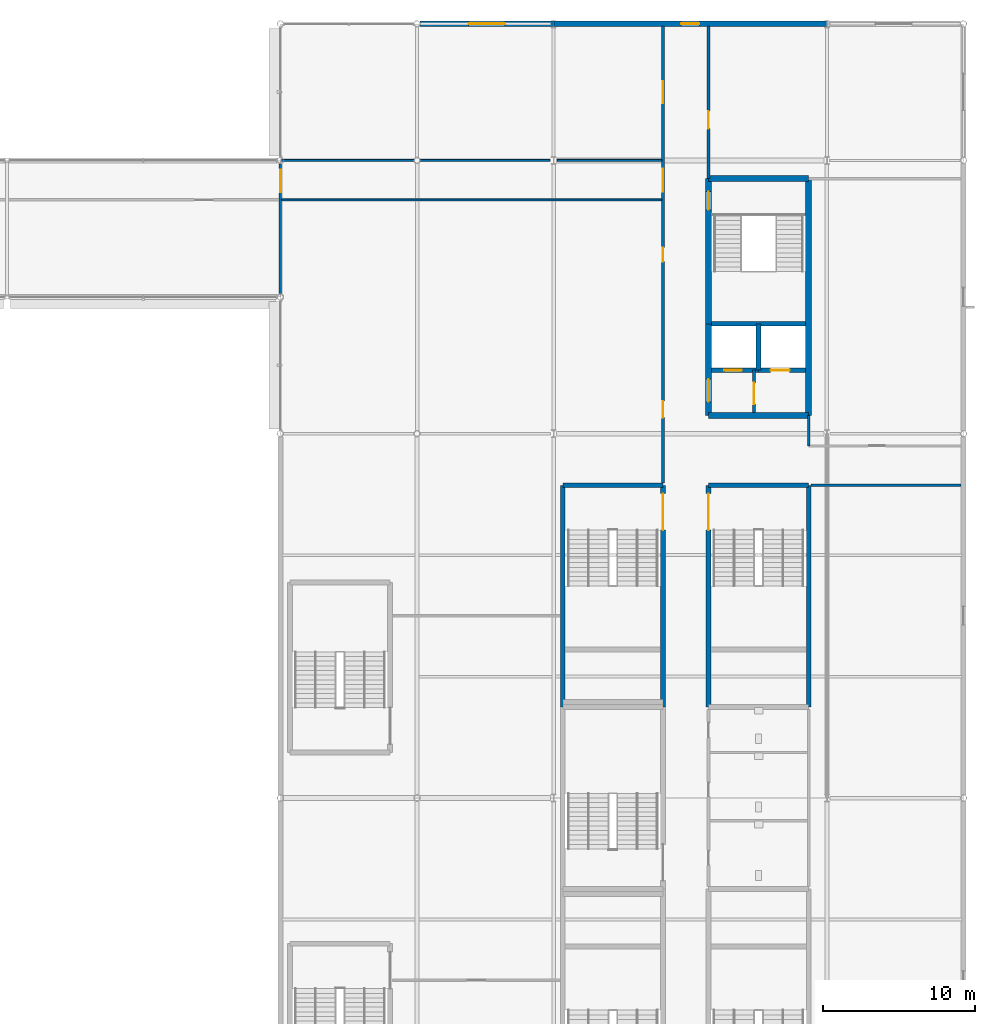
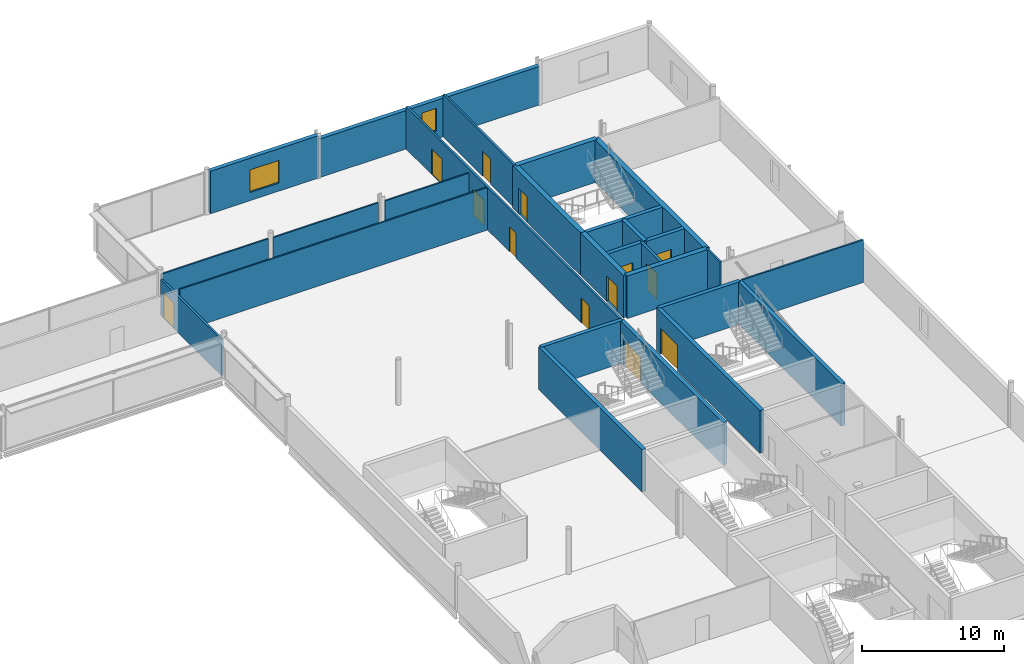
# One storey, part 62 of 96: 27 walls, 13 doors, 2 windows, 15 openings.
"""IFC4 building model written with IfcOpenShell, lengths in metres."""

from ifc_helpers import new_model, si_unit, direction, frame, frame_2d, origin, place, context, subcontext, project, spatial, rectangle, extrude, material, layer, layer_set, type_object, element, fill, save


model = new_model("IFC4")

# Units and contexts
model_context = context("Model", 3, precision=1e-05, world=origin(), true_north=direction((0.0, 1.0)))
body_context = subcontext(model_context, "Body", "Model", "MODEL_VIEW")
ifc_project = project(units=[si_unit("LENGTHUNIT", "METRE"), si_unit("AREAUNIT", "SQUARE_METRE"), si_unit("VOLUMEUNIT", "CUBIC_METRE"), si_unit("PLANEANGLEUNIT", "RADIAN"), si_unit("MASSUNIT", "GRAM", prefix="KILO")], contexts=[model_context])

# Site, building, storey
site_placement = place(None, origin())
site = spatial("IfcSite", under=ifc_project, at=site_placement, CompositionType="ELEMENT")
building_placement = place(site_placement, origin())
building = spatial("IfcBuilding", under=site, at=building_placement, Name="Kisiwana Market Hall", CompositionType="ELEMENT")
storey_placement = place(building_placement, frame((0.0, 0.0, 25.5)))
storey = spatial("IfcBuildingStorey", under=building, at=storey_placement, Name="L05", CompositionType="ELEMENT", Elevation=25.5)

# Wall, opening, door
ifc_material_1 = material(Name="Masonry blockwork", Category="masonry")
ifc_layer_1 = layer(ifc_material_1, 0.199951171875, Name="Plastered fire compartment block wall")
ifc_layer_set_1 = layer_set([ifc_layer_1], Name="WL-COMP-200")
wall_type_1 = type_object("IfcWallType", Name="WL-COMP-200", PredefinedType="PARTITIONING", material=ifc_layer_set_1)
wall_1_placement = place(storey_placement, frame((184.199951171875, 85.39990234375, 0.0), z_axis=(0.0, 0.0, 1.0), x_axis=(0.0, 1.0, 0.0)))
wall_1 = element("IfcWall", 1, at=wall_1_placement, inside=storey, type_object=wall_type_1, Name="Core E1 firefighting lobby wall W-1829", PredefinedType="PARTITIONING", context=body_context, shape_type="SweptSolid", body=[
    extrude(rectangle(XDim=2.780029296875, YDim=0.199951171875, at=frame_2d((1.39013671875, 0.0))), origin(), (0.0, 0.0, 1.0), 3.655029296875),
])
opening_1_placement = place(wall_1_placement, frame((0.550048828125, 0.0, 0.0)))
opening_1 = element("IfcOpeningElement", 2, at=opening_1_placement, cuts=wall_1, Name="Opening DR-L05-012", PredefinedType="OPENING", context=body_context, shape_type="SweptSolid", body=[
    extrude(rectangle(XDim=1.39990234375, YDim=2.25, at=frame_2d((0.699951171875, 1.125))), frame((0.0, 0.11181640625, 0.0), z_axis=(0.0, -1.0, 0.0), x_axis=(1.0, 0.0, 0.0)), (0.0, 0.0, 1.0), 0.223876953125),
])
ifc_material_2 = material(Name="Steel S275", Category="steel")
door_type_1 = type_object("IfcDoorType", Name="DR-FFLOB-FD120-1400", OperationType="DOUBLE_DOOR_SINGLE_SWING", PredefinedType="DOOR", material=ifc_material_2)
door_1_placement = place(opening_1_placement, origin())
door_1 = element("IfcDoor", 3, at=door_1_placement, inside=storey, type_object=door_type_1, Name="Firefighting Lift Lobby E1 Door (L05)", OperationType="DOUBLE_DOOR_SINGLE_SWING", OverallHeight=2.25, OverallWidth=1.39990234375, PredefinedType="DOOR", context=body_context, shape_type="SweptSolid", body=[
    extrude(rectangle(XDim=1.39990234375, YDim=2.25, at=frame_2d((0.699951171875, 1.125))), frame((0.0, 0.02490234375, 0.0), z_axis=(0.0, -1.0, 0.0), x_axis=(1.0, 0.0, 0.0)), (0.0, 0.0, 1.0), 0.050048828125),
])
fill(opening_1, door_1)

# Walls
ifc_material_3 = material(Name="Concrete C40/50", Category="concrete")
ifc_layer_2 = layer(ifc_material_3, 0.320068359375, Name="Reinforced concrete shaft wall")
ifc_layer_set_2 = layer_set([ifc_layer_2], Name="WL-CORE-320")
wall_type_2 = type_object("IfcWallType", Name="WL-CORE-320", PredefinedType="SHEAR", material=ifc_layer_set_2)
wall_2_placement = place(storey_placement, frame((181.39990234375, 91.239990234375, 0.0), z_axis=(0.0, 0.0, 1.0), x_axis=(1.0, 0.0, 0.0)))
element("IfcWall", 4, at=wall_2_placement, inside=storey, type_object=wall_type_2, Name="Core E1 shaft back shear wall W-1734", PredefinedType="SHEAR", context=body_context, shape_type="SweptSolid", body=[
    extrude(rectangle(XDim=6.2001953125, YDim=0.320068359375, at=frame_2d((3.10009765625, 0.0))), origin(), (0.0, 0.0, 1.0), 3.655029296875),
])
wall_3_placement = place(storey_placement, frame((184.5, 88.179931640625, 0.0), z_axis=(0.0, 0.0, 1.0), x_axis=(0.0, 1.0, 0.0)))
element("IfcWall", 5, at=wall_3_placement, inside=storey, type_object=wall_type_2, Name="Core E1 inter-shaft shear wall W-1735", PredefinedType="SHEAR", context=body_context, shape_type="SweptSolid", body=[
    extrude(rectangle(XDim=3.06005859375, YDim=0.320068359375, at=frame_2d((1.530029296875, 0.0))), origin(), (0.0, 0.0, 1.0), 3.655029296875),
])

# Wall, opening, door
wall_4_placement = place(storey_placement, frame((181.39990234375, 88.179931640625, 0.0), z_axis=(0.0, 0.0, 1.0), x_axis=(1.0, 0.0, 0.0)))
wall_4 = element("IfcWall", 6, at=wall_4_placement, inside=storey, type_object=wall_type_2, Name="Core E1 west lift front wall W-1736", PredefinedType="SHEAR", context=body_context, shape_type="SweptSolid", body=[
    extrude(rectangle(XDim=3.10009765625, YDim=0.320068359375, at=frame_2d((1.550048828125, 0.0))), origin(), (0.0, 0.0, 1.0), 3.655029296875),
])
opening_2_placement = place(wall_4_placement, frame((0.85009765625, 0.0, 0.0)))
opening_2 = element("IfcOpeningElement", 7, at=opening_2_placement, cuts=wall_4, Name="Opening LD-L05-007", PredefinedType="OPENING", context=body_context, shape_type="SweptSolid", body=[
    extrude(rectangle(XDim=1.14990234375, YDim=2.199951171875, at=frame_2d((0.574951171875, 1.10009765625))), frame((0.0, 0.171875, 0.0), z_axis=(0.0, -1.0, 0.0), x_axis=(1.0, 0.0, 0.0)), (0.0, 0.0, 1.0), 0.343994140625),
])
ifc_material_4 = material(Name="Steel S275", Category="steel")
door_type_2 = type_object("IfcDoorType", Name="DR-LIFT-PAX-1150", OperationType="DOUBLE_DOOR_SLIDING", PredefinedType="DOOR", material=ifc_material_4)
door_2_placement = place(opening_2_placement, origin())
door_2 = element("IfcDoor", 8, at=door_2_placement, inside=storey, type_object=door_type_2, Name="Lift Landing Door LP-04 (L05)", OperationType="DOUBLE_DOOR_SLIDING", OverallHeight=2.199951171875, OverallWidth=1.14990234375, PredefinedType="DOOR", context=body_context, shape_type="SweptSolid", body=[
    extrude(rectangle(XDim=1.14990234375, YDim=2.199951171875, at=frame_2d((0.574951171875, 1.10009765625))), frame((0.0, 0.02490234375, 0.0), z_axis=(0.0, -1.0, 0.0), x_axis=(1.0, 0.0, 0.0)), (0.0, 0.0, 1.0), 0.050048828125),
])
fill(opening_2, door_2)

wall_5_placement = place(storey_placement, frame((184.5, 88.179931640625, 0.0), z_axis=(0.0, 0.0, 1.0), x_axis=(1.0, 0.0, 0.0)))
wall_5 = element("IfcWall", 9, at=wall_5_placement, inside=storey, type_object=wall_type_2, Name="Core E1 east lift front wall W-1737", PredefinedType="SHEAR", context=body_context, shape_type="SweptSolid", body=[
    extrude(rectangle(XDim=3.10009765625, YDim=0.320068359375, at=frame_2d((1.550048828125, 0.0))), origin(), (0.0, 0.0, 1.0), 3.655029296875),
])
opening_3_placement = place(wall_5_placement, frame((0.800048828125, 0.0, 0.0)))
opening_3 = element("IfcOpeningElement", 10, at=opening_3_placement, cuts=wall_5, Name="Opening LD-L05-008", PredefinedType="OPENING", context=body_context, shape_type="SweptSolid", body=[
    extrude(rectangle(XDim=1.25, YDim=2.25, at=frame_2d((0.625, 1.125))), frame((0.0, 0.171875, 0.0), z_axis=(0.0, -1.0, 0.0), x_axis=(1.0, 0.0, 0.0)), (0.0, 0.0, 1.0), 0.343994140625),
])
ifc_material_5 = material(Name="Steel S275", Category="steel")
door_type_3 = type_object("IfcDoorType", Name="DR-LIFT-FFL-1250", OperationType="DOUBLE_DOOR_SLIDING", PredefinedType="DOOR", material=ifc_material_5)
door_3_placement = place(opening_3_placement, origin())
door_3 = element("IfcDoor", 11, at=door_3_placement, inside=storey, type_object=door_type_3, Name="Lift Landing Door FFL-04 (L05)", OperationType="DOUBLE_DOOR_SLIDING", OverallHeight=2.25, OverallWidth=1.25, PredefinedType="DOOR", context=body_context, shape_type="SweptSolid", body=[
    extrude(rectangle(XDim=1.25, YDim=2.25, at=frame_2d((0.625, 1.125))), frame((0.0, 0.02490234375, 0.0), z_axis=(0.0, -1.0, 0.0), x_axis=(1.0, 0.0, 0.0)), (0.0, 0.0, 1.0), 0.050048828125),
])
fill(opening_3, door_3)

# Wall
wall_6_placement = place(storey_placement, frame((181.199951171875, 80.60009765625, 0.0), z_axis=(0.0, 0.0, 1.0), x_axis=(1.0, 0.0, 0.0)))
element("IfcWall", 12, at=wall_6_placement, inside=storey, type_object=wall_type_2, Name="Core E4 north shear wall W-1754", PredefinedType="SHEAR", context=body_context, shape_type="SweptSolid", body=[
    extrude(rectangle(XDim=6.60009765625, YDim=0.320068359375, at=frame_2d((3.300048828125, 0.0))), origin(), (0.0, 0.0, 1.0), 3.655029296875),
])

# Wall, opening, door
wall_7_placement = place(storey_placement, frame((181.199951171875, 66.0, 0.0), z_axis=(0.0, 0.0, 1.0), x_axis=(0.0, 1.0, 0.0)))
wall_7 = element("IfcWall", 13, at=wall_7_placement, inside=storey, type_object=wall_type_2, Name="Core E4 corridor shear wall W-1755", PredefinedType="SHEAR", context=body_context, shape_type="SweptSolid", body=[
    extrude(rectangle(XDim=14.60009765625, YDim=0.320068359375, at=frame_2d((7.300048828125, 0.0))), origin(), (0.0, 0.0, 1.0), 3.655029296875),
])
opening_4_placement = place(wall_7_placement, frame((11.64990234375, 0.0, 0.0)))
opening_4 = element("IfcOpeningElement", 14, at=opening_4_placement, cuts=wall_7, Name="Opening DR-L05-016", PredefinedType="OPENING", context=body_context, shape_type="SweptSolid", body=[
    extrude(rectangle(XDim=2.39990234375, YDim=2.25, at=frame_2d((1.199951171875, 1.125))), frame((0.0, 0.171875, 0.0), z_axis=(0.0, -1.0, 0.0), x_axis=(1.0, 0.0, 0.0)), (0.0, 0.0, 1.0), 0.343994140625),
])
ifc_material_6 = material(Name="Steel S275", Category="steel")
door_type_4 = type_object("IfcDoorType", Name="DR-STAIR-FD120-2400", OperationType="DOUBLE_DOOR_SINGLE_SWING", PredefinedType="DOOR", material=ifc_material_6)
door_4_placement = place(opening_4_placement, frame((2.39990234375, 0.0, 0.0), z_axis=(0.0, 0.0, 1.0), x_axis=(-1.0, 0.0, 0.0)))
door_4 = element("IfcDoor", 15, at=door_4_placement, inside=storey, type_object=door_type_4, Name="Escape Stair E4 Fire Door (L05)", OperationType="DOUBLE_DOOR_SINGLE_SWING", OverallHeight=2.25, OverallWidth=2.39990234375, PredefinedType="DOOR", context=body_context, shape_type="SweptSolid", body=[
    extrude(rectangle(XDim=2.39990234375, YDim=2.25, at=frame_2d((1.199951171875, 1.125))), frame((0.0, 0.02490234375, 0.0), z_axis=(0.0, -1.0, 0.0), x_axis=(1.0, 0.0, 0.0)), (0.0, 0.0, 1.0), 0.050048828125),
])
fill(opening_4, door_4)

# Walls
wall_8_placement = place(storey_placement, frame((187.800048828125, 66.0, 0.0), z_axis=(0.0, 0.0, 1.0), x_axis=(0.0, 1.0, 0.0)))
element("IfcWall", 16, at=wall_8_placement, inside=storey, type_object=wall_type_2, Name="Core E4 outer shear wall W-1756", PredefinedType="SHEAR", context=body_context, shape_type="SweptSolid", body=[
    extrude(rectangle(XDim=14.60009765625, YDim=0.320068359375, at=frame_2d((7.300048828125, 0.0))), origin(), (0.0, 0.0, 1.0), 3.655029296875),
])
wall_9_placement = place(storey_placement, frame((171.60009765625, 80.60009765625, 0.0), z_axis=(0.0, 0.0, 1.0), x_axis=(1.0, 0.0, 0.0)))
element("IfcWall", 17, at=wall_9_placement, inside=storey, type_object=wall_type_2, Name="Core E8 north shear wall W-1774", PredefinedType="SHEAR", context=body_context, shape_type="SweptSolid", body=[
    extrude(rectangle(XDim=6.599853515625, YDim=0.320068359375, at=frame_2d((3.2998046875, 0.0))), origin(), (0.0, 0.0, 1.0), 3.655029296875),
])
wall_10_placement = place(storey_placement, frame((171.60009765625, 66.0, 0.0), z_axis=(0.0, 0.0, 1.0), x_axis=(0.0, 1.0, 0.0)))
element("IfcWall", 18, at=wall_10_placement, inside=storey, type_object=wall_type_2, Name="Core E8 outer shear wall W-1775", PredefinedType="SHEAR", context=body_context, shape_type="SweptSolid", body=[
    extrude(rectangle(XDim=14.60009765625, YDim=0.320068359375, at=frame_2d((7.300048828125, 0.0))), origin(), (0.0, 0.0, 1.0), 3.655029296875),
])

# Wall, opening, door
wall_11_placement = place(storey_placement, frame((178.199951171875, 66.0, 0.0), z_axis=(0.0, 0.0, 1.0), x_axis=(0.0, 1.0, 0.0)))
wall_11 = element("IfcWall", 19, at=wall_11_placement, inside=storey, type_object=wall_type_2, Name="Core E8 corridor shear wall W-1776", PredefinedType="SHEAR", context=body_context, shape_type="SweptSolid", body=[
    extrude(rectangle(XDim=14.60009765625, YDim=0.320068359375, at=frame_2d((7.300048828125, 0.0))), origin(), (0.0, 0.0, 1.0), 3.655029296875),
])
opening_5_placement = place(wall_11_placement, frame((11.64990234375, 0.0, 0.0)))
opening_5 = element("IfcOpeningElement", 20, at=opening_5_placement, cuts=wall_11, Name="Opening DR-L05-020", PredefinedType="OPENING", context=body_context, shape_type="SweptSolid", body=[
    extrude(rectangle(XDim=2.39990234375, YDim=2.25, at=frame_2d((1.199951171875, 1.125))), frame((0.0, 0.171875, 0.0), z_axis=(0.0, -1.0, 0.0), x_axis=(1.0, 0.0, 0.0)), (0.0, 0.0, 1.0), 0.343994140625),
])
door_5_placement = place(opening_5_placement, origin())
door_5 = element("IfcDoor", 21, at=door_5_placement, inside=storey, type_object=door_type_4, Name="Escape Stair E8 Fire Door (L05)", OperationType="DOUBLE_DOOR_SINGLE_SWING", OverallHeight=2.25, OverallWidth=2.39990234375, PredefinedType="DOOR", context=body_context, shape_type="SweptSolid", body=[
    extrude(rectangle(XDim=2.39990234375, YDim=2.25, at=frame_2d((1.199951171875, 1.125))), frame((0.0, 0.02490234375, 0.0), z_axis=(0.0, -1.0, 0.0), x_axis=(1.0, 0.0, 0.0)), (0.0, 0.0, 1.0), 0.050048828125),
])
fill(opening_5, door_5)

# Walls
ifc_material_7 = material(Name="Concrete C40/50", Category="concrete")
ifc_layer_3 = layer(ifc_material_7, 0.39990234375, Name="Reinforced concrete core wall")
ifc_layer_set_3 = layer_set([ifc_layer_3], Name="WL-CORE-400")
wall_type_3 = type_object("IfcWallType", Name="WL-CORE-400", PredefinedType="SHEAR", material=ifc_layer_set_3)
for number, where, z_axis, x_axis, name in (
    (22, (181.199951171875, 85.199951171875, 0.0), (0.0, 0.0, 1.0), (1.0, 0.0, 0.0), "Core E1 south shear wall W-1729"),
    (23, (181.199951171875, 100.800048828125, 0.0), (0.0, 0.0, 1.0), (1.0, 0.0, 0.0), "Core E1 north shear wall W-1730"),
):
    element("IfcWall", number, at=place(storey_placement, frame(where, z_axis=z_axis, x_axis=x_axis)), inside=storey, type_object=wall_type_3, Name=name, PredefinedType="SHEAR", context=body_context, shape_type="SweptSolid", body=[
        extrude(rectangle(XDim=6.60009765625, YDim=0.39990234375, at=frame_2d((3.300048828125, 0.0))), origin(), (0.0, 0.0, 1.0), 3.655029296875),
    ])
wall_12_placement = place(storey_placement, frame((187.800048828125, 85.199951171875, 0.0), z_axis=(0.0, 0.0, 1.0), x_axis=(0.0, 1.0, 0.0)))
element("IfcWall", 24, at=wall_12_placement, inside=storey, type_object=wall_type_3, Name="Core E1 outer shear wall W-1731", PredefinedType="SHEAR", context=body_context, shape_type="SweptSolid", body=[
    extrude(rectangle(XDim=15.60009765625, YDim=0.39990234375, at=frame_2d((7.800048828125, 0.0))), origin(), (0.0, 0.0, 1.0), 3.655029296875),
])

# Wall, opening, door
wall_13_placement = place(storey_placement, frame((181.199951171875, 85.199951171875, 0.0), z_axis=(0.0, 0.0, 1.0), x_axis=(0.0, 1.0, 0.0)))
wall_13 = element("IfcWall", 25, at=wall_13_placement, inside=storey, type_object=wall_type_3, Name="Core E1 lobby corridor shear wall W-1732", PredefinedType="SHEAR", context=body_context, shape_type="SweptSolid", body=[
    extrude(rectangle(XDim=6.0400390625, YDim=0.39990234375, at=frame_2d((3.02001953125, 0.0))), origin(), (0.0, 0.0, 1.0), 3.655029296875),
])
opening_6_placement = place(wall_13_placement, frame((0.89990234375, 0.0, 0.0)))
opening_6 = element("IfcOpeningElement", 26, at=opening_6_placement, cuts=wall_13, Name="Opening DR-L05-010", PredefinedType="OPENING", context=body_context, shape_type="SweptSolid", body=[
    extrude(rectangle(XDim=1.5, YDim=2.199951171875, at=frame_2d((0.75, 1.10009765625))), frame((0.0, 0.2119140625, 0.0), z_axis=(0.0, -1.0, 0.0), x_axis=(1.0, 0.0, 0.0)), (0.0, 0.0, 1.0), 0.423828125),
])
ifc_material_8 = material(Name="Steel S275", Category="steel")
door_type_5 = type_object("IfcDoorType", Name="DR-CORR-FD60-1500", OperationType="DOUBLE_DOOR_SINGLE_SWING", PredefinedType="DOOR", material=ifc_material_8)
door_6_placement = place(opening_6_placement, origin())
door_6 = element("IfcDoor", 27, at=door_6_placement, inside=storey, type_object=door_type_5, Name="Passenger Lift Lobby E1 Smoke Door (L05)", OperationType="DOUBLE_DOOR_SINGLE_SWING", OverallHeight=2.199951171875, OverallWidth=1.5, PredefinedType="DOOR", context=body_context, shape_type="SweptSolid", body=[
    extrude(rectangle(XDim=1.5, YDim=2.199951171875, at=frame_2d((0.75, 1.10009765625))), frame((0.0, 0.02490234375, 0.0), z_axis=(0.0, -1.0, 0.0), x_axis=(1.0, 0.0, 0.0)), (0.0, 0.0, 1.0), 0.050048828125),
])
fill(opening_6, door_6)

wall_14_placement = place(storey_placement, frame((181.199951171875, 91.239990234375, 0.0), z_axis=(0.0, 0.0, 1.0), x_axis=(0.0, 1.0, 0.0)))
wall_14 = element("IfcWall", 28, at=wall_14_placement, inside=storey, type_object=wall_type_3, Name="Core E1 stair corridor shear wall W-1733", PredefinedType="SHEAR", context=body_context, shape_type="SweptSolid", body=[
    extrude(rectangle(XDim=9.56005859375, YDim=0.39990234375, at=frame_2d((4.780029296875, 0.0))), origin(), (0.0, 0.0, 1.0), 3.655029296875),
])
opening_7_placement = place(wall_14_placement, frame((7.510009765625, 0.0, 0.0)))
opening_7 = element("IfcOpeningElement", 29, at=opening_7_placement, cuts=wall_14, Name="Opening DR-L05-011", PredefinedType="OPENING", context=body_context, shape_type="SweptSolid", body=[
    extrude(rectangle(XDim=1.199951171875, YDim=2.199951171875, at=frame_2d((0.60009765625, 1.10009765625))), frame((0.0, 0.2119140625, 0.0), z_axis=(0.0, -1.0, 0.0), x_axis=(1.0, 0.0, 0.0)), (0.0, 0.0, 1.0), 0.423828125),
])
ifc_material_9 = material(Name="Steel S275", Category="steel")
door_type_6 = type_object("IfcDoorType", Name="DR-STAIR-FD120-1200", OperationType="NOTDEFINED", PredefinedType="DOOR", material=ifc_material_9)
door_7_placement = place(opening_7_placement, frame((1.199951171875, 0.0, 0.0), z_axis=(0.0, 0.0, 1.0), x_axis=(-1.0, 0.0, 0.0)))
door_7 = element("IfcDoor", 30, at=door_7_placement, inside=storey, type_object=door_type_6, Name="Escape Stair E1 Fire Door (L05)", OperationType="SINGLE_SWING_LEFT", OverallHeight=2.199951171875, OverallWidth=1.199951171875, PredefinedType="DOOR", context=body_context, shape_type="SweptSolid", body=[
    extrude(rectangle(XDim=1.199951171875, YDim=2.199951171875, at=frame_2d((0.60009765625, 1.10009765625))), frame((0.0, 0.02490234375, 0.0), z_axis=(0.0, -1.0, 0.0), x_axis=(1.0, 0.0, 0.0)), (0.0, 0.0, 1.0), 0.050048828125),
])
fill(opening_7, door_7)

ifc_material_10 = material(Name="Masonry blockwork", Category="masonry")
ifc_layer_4 = layer(ifc_material_10, 0.169921875, Name="Protected corridor partition")
ifc_layer_set_4 = layer_set([ifc_layer_4], Name="WL-CORR-170")
wall_type_4 = type_object("IfcWallType", Name="WL-CORR-170", PredefinedType="PARTITIONING", material=ifc_layer_set_4)
wall_15_placement = place(storey_placement, frame((181.199951171875, 100.800048828125, 0.0), z_axis=(0.0, 0.0, 1.0), x_axis=(0.0, 1.0, 0.0)))
wall_15 = element("IfcWall", 31, at=wall_15_placement, inside=storey, type_object=wall_type_4, Name="Interior partition W-1871", PredefinedType="PARTITIONING", context=body_context, shape_type="SweptSolid", body=[
    extrude(rectangle(XDim=10.04248046875, YDim=0.169921875, at=frame_2d((5.021240234375, 0.0))), origin(), (0.0, 0.0, 1.0), 3.655029296875),
])
opening_8_placement = place(wall_15_placement, frame((3.300048828125, 0.0, 0.0)))
opening_8 = element("IfcOpeningElement", 32, at=opening_8_placement, cuts=wall_15, Name="Opening DR-L05-053", PredefinedType="OPENING", context=body_context, shape_type="SweptSolid", body=[
    extrude(rectangle(XDim=1.14990234375, YDim=2.14990234375, at=frame_2d((0.574951171875, 1.074951171875))), frame((0.0, 0.096923828125, 0.0), z_axis=(0.0, -1.0, 0.0), x_axis=(1.0, 0.0, 0.0)), (0.0, 0.0, 1.0), 0.19384765625),
])
ifc_material_11 = material(Name="Aluminium alloy 6063-T6", Category="aluminium")
door_type_7 = type_object("IfcDoorType", Name="DR-MEET-1150", OperationType="NOTDEFINED", PredefinedType="DOOR", material=ifc_material_11)
door_8_placement = place(opening_8_placement, frame((1.14990234375, 0.0, 0.0), z_axis=(0.0, 0.0, 1.0), x_axis=(-1.0, 0.0, 0.0)))
door_8 = element("IfcDoor", 33, at=door_8_placement, inside=storey, type_object=door_type_7, Name="L05 E Corner Office Suite North Door", OperationType="SINGLE_SWING_RIGHT", OverallHeight=2.14990234375, OverallWidth=1.14990234375, PredefinedType="DOOR", context=body_context, shape_type="SweptSolid", body=[
    extrude(rectangle(XDim=1.14990234375, YDim=2.14990234375, at=frame_2d((0.574951171875, 1.074951171875))), frame((0.0, 0.02490234375, 0.0), z_axis=(0.0, -1.0, 0.0), x_axis=(1.0, 0.0, 0.0)), (0.0, 0.0, 1.0), 0.050048828125),
])
fill(opening_8, door_8)

# Wall, openings, doors
wall_16_placement = place(storey_placement, frame((178.199951171875, 80.760009765625, 0.0), z_axis=(0.0, 0.0, 1.0), x_axis=(0.0, 1.0, 0.0)))
wall_16 = element("IfcWall", 34, at=wall_16_placement, inside=storey, type_object=wall_type_4, Name="Interior partition W-1883", PredefinedType="PARTITIONING", context=body_context, shape_type="SweptSolid", body=[
    extrude(rectangle(XDim=30.08251953125, YDim=0.169921875, at=frame_2d((15.041259765625, 0.0))), origin(), (0.0, 0.0, 1.0), 3.655029296875),
])
opening_9_placement = place(wall_16_placement, frame((4.301025390625, 0.0, 0.0)))
opening_9 = element("IfcOpeningElement", 35, at=opening_9_placement, cuts=wall_16, Name="Opening DR-L05-059", PredefinedType="OPENING", context=body_context, shape_type="SweptSolid", body=[
    extrude(rectangle(XDim=1.080078125, YDim=2.14990234375, at=frame_2d((0.5400390625, 1.074951171875))), frame((0.0, 0.096923828125, 0.0), z_axis=(0.0, -1.0, 0.0), x_axis=(1.0, 0.0, 0.0)), (0.0, 0.0, 1.0), 0.19384765625),
])
opening_10_placement = place(wall_16_placement, frame((19.19091796875, 0.0, 0.0)))
opening_10 = element("IfcOpeningElement", 36, at=opening_10_placement, cuts=wall_16, Name="Opening DR-L05-060", PredefinedType="OPENING", context=body_context, shape_type="SweptSolid", body=[
    extrude(rectangle(XDim=1.5, YDim=2.199951171875, at=frame_2d((0.75, 1.10009765625))), frame((0.0, 0.096923828125, 0.0), z_axis=(0.0, -1.0, 0.0), x_axis=(1.0, 0.0, 0.0)), (0.0, 0.0, 1.0), 0.19384765625),
])
opening_11_placement = place(wall_16_placement, frame((25.01611328125, 0.0, 0.0)))
opening_11 = element("IfcOpeningElement", 37, at=opening_11_placement, cuts=wall_16, Name="Opening DR-L05-061", PredefinedType="OPENING", context=body_context, shape_type="SweptSolid", body=[
    extrude(rectangle(XDim=1.449951171875, YDim=2.199951171875, at=frame_2d((0.72509765625, 1.10009765625))), frame((0.0, 0.096923828125, 0.0), z_axis=(0.0, -1.0, 0.0), x_axis=(1.0, 0.0, 0.0)), (0.0, 0.0, 1.0), 0.19384765625),
])
opening_12_placement = place(wall_16_placement, frame((14.5810546875, 0.0, 0.0)))
opening_12 = element("IfcOpeningElement", 38, at=opening_12_placement, cuts=wall_16, Name="Opening DR-L05-062", PredefinedType="OPENING", context=body_context, shape_type="SweptSolid", body=[
    extrude(rectangle(XDim=0.919921875, YDim=2.14990234375, at=frame_2d((0.4599609375, 1.074951171875))), frame((0.0, 0.096923828125, 0.0), z_axis=(0.0, -1.0, 0.0), x_axis=(1.0, 0.0, 0.0)), (0.0, 0.0, 1.0), 0.19384765625),
])
door_9_placement = place(opening_10_placement, origin())
door_9 = element("IfcDoor", 39, at=door_9_placement, inside=storey, type_object=door_type_5, Name="L05 E North Skybridge Link Corridor Door", OperationType="DOUBLE_DOOR_SINGLE_SWING", OverallHeight=2.199951171875, OverallWidth=1.5, PredefinedType="DOOR", context=body_context, shape_type="SweptSolid", body=[
    extrude(rectangle(XDim=1.5, YDim=2.199951171875, at=frame_2d((0.75, 1.10009765625))), frame((0.0, 0.02490234375, 0.0), z_axis=(0.0, -1.0, 0.0), x_axis=(1.0, 0.0, 0.0)), (0.0, 0.0, 1.0), 0.050048828125),
])
fill(opening_10, door_9)
ifc_material_12 = material(Name="Hardwood timber", Category="wood")
door_type_8 = type_object("IfcDoorType", Name="DR-MEET-1450", OperationType="DOUBLE_DOOR_SINGLE_SWING", PredefinedType="DOOR", material=ifc_material_12)
door_10_placement = place(opening_11_placement, origin())
door_10 = element("IfcDoor", 40, at=door_10_placement, inside=storey, type_object=door_type_8, Name="L05 E Executive Corner Office A5 Door", OperationType="DOUBLE_DOOR_SINGLE_SWING", OverallHeight=2.199951171875, OverallWidth=1.449951171875, PredefinedType="DOOR", context=body_context, shape_type="SweptSolid", body=[
    extrude(rectangle(XDim=1.449951171875, YDim=2.199951171875, at=frame_2d((0.72509765625, 1.10009765625))), frame((0.0, 0.02490234375, 0.0), z_axis=(0.0, -1.0, 0.0), x_axis=(1.0, 0.0, 0.0)), (0.0, 0.0, 1.0), 0.050048828125),
])
fill(opening_11, door_10)
ifc_material_13 = material(Name="Hardwood timber", Category="wood")
door_type_9 = type_object("IfcDoorType", Name="DR-OFF-0920", OperationType="NOTDEFINED", PredefinedType="DOOR", material=ifc_material_13)
door_11_placement = place(opening_12_placement, origin())
door_11 = element("IfcDoor", 41, at=door_11_placement, inside=storey, type_object=door_type_9, Name="L05 E Open-Plan Office A3 Door", OperationType="SINGLE_SWING_LEFT", OverallHeight=2.14990234375, OverallWidth=0.919921875, PredefinedType="DOOR", context=body_context, shape_type="SweptSolid", body=[
    extrude(rectangle(XDim=0.919921875, YDim=2.14990234375, at=frame_2d((0.4599609375, 1.074951171875))), frame((0.0, 0.02490234375, 0.0), z_axis=(0.0, -1.0, 0.0), x_axis=(1.0, 0.0, 0.0)), (0.0, 0.0, 1.0), 0.050048828125),
])
fill(opening_12, door_11)
ifc_material_14 = material(Name="Hardwood timber", Category="wood")
door_type_10 = type_object("IfcDoorType", Name="DR-OFF-1080", OperationType="NOTDEFINED", PredefinedType="DOOR", material=ifc_material_14)
door_12_placement = place(opening_9_placement, origin())
door_12 = element("IfcDoor", 42, at=door_12_placement, inside=storey, type_object=door_type_10, Name="L05 E Project Studio A4 Door", OperationType="SINGLE_SWING_LEFT", OverallHeight=2.14990234375, OverallWidth=1.080078125, PredefinedType="DOOR", context=body_context, shape_type="SweptSolid", body=[
    extrude(rectangle(XDim=1.080078125, YDim=2.14990234375, at=frame_2d((0.5400390625, 1.074951171875))), frame((0.0, 0.02490234375, 0.0), z_axis=(0.0, -1.0, 0.0), x_axis=(1.0, 0.0, 0.0)), (0.0, 0.0, 1.0), 0.050048828125),
])
fill(opening_9, door_12)

# Wall, opening, door
wall_17_placement = place(storey_placement, frame((153.0, 93.219970703125, 0.0), z_axis=(0.0, 0.0, 1.0), x_axis=(0.0, 1.0, 0.0)))
wall_17 = element("IfcWall", 43, at=wall_17_placement, inside=storey, type_object=wall_type_4, Name="Interior partition W-1885", PredefinedType="PARTITIONING", context=body_context, shape_type="SweptSolid", body=[
    extrude(rectangle(XDim=8.56005859375, YDim=0.169921875, at=frame_2d((4.280029296875, 0.0))), origin(), (0.0, 0.0, 1.0), 3.101806640625),
])
opening_13_placement = place(wall_17_placement, frame((6.679931640625, 0.0, 0.0)))
opening_13 = element("IfcOpeningElement", 44, at=opening_13_placement, cuts=wall_17, Name="Opening DR-L05-064", PredefinedType="OPENING", context=body_context, shape_type="SweptSolid", body=[
    extrude(rectangle(XDim=1.5, YDim=2.199951171875, at=frame_2d((0.75, 1.10009765625))), frame((0.0, 0.096923828125, 0.0), z_axis=(0.0, -1.0, 0.0), x_axis=(1.0, 0.0, 0.0)), (0.0, 0.0, 1.0), 0.19384765625),
])
door_13_placement = place(opening_13_placement, origin())
door_13 = element("IfcDoor", 45, at=door_13_placement, inside=storey, type_object=door_type_5, Name="L05 E North Skybridge Spine Door", OperationType="DOUBLE_DOOR_SINGLE_SWING", OverallHeight=2.199951171875, OverallWidth=1.5, PredefinedType="DOOR", context=body_context, shape_type="SweptSolid", body=[
    extrude(rectangle(XDim=1.5, YDim=2.199951171875, at=frame_2d((0.75, 1.10009765625))), frame((0.0, 0.02490234375, 0.0), z_axis=(0.0, -1.0, 0.0), x_axis=(1.0, 0.0, 0.0)), (0.0, 0.0, 1.0), 0.050048828125),
])
fill(opening_13, door_13)

# Wall, opening, window
ifc_material_15 = material(Name="Concrete C40/50 precast", Category="concrete")
ifc_layer_5 = layer(ifc_material_15, 0.14990234375, Name="Precast architectural concrete spandrel")
ifc_material_16 = material(Name="Mineral wool insulation")
ifc_layer_6 = layer(ifc_material_16, 0.090087890625, Name="Rockwool thermal insulation")
ifc_material_17 = material(Name="Masonry blockwork", Category="masonry")
ifc_layer_7 = layer(ifc_material_17, 0.10009765625, Name="Inner masonry block leaf")
ifc_layer_set_5 = layer_set([ifc_layer_5, ifc_layer_6, ifc_layer_7], Name="WL-EXT-PREC-340")
wall_type_5 = type_object("IfcWallType", Name="WL-EXT-PREC-340", PredefinedType="STANDARD", material=ifc_layer_set_5)
wall_18_placement = place(storey_placement, frame((162.205078125, 111.0, 0.0), z_axis=(0.0, 0.0, 1.0), x_axis=(1.0, 0.0, 0.0)))
wall_18 = element("IfcWall", 46, at=wall_18_placement, inside=storey, type_object=wall_type_5, Name="Exterior wall W-1809", PredefinedType="STANDARD", context=body_context, shape_type="SweptSolid", body=[
    extrude(rectangle(XDim=8.784912109375, YDim=0.340087890625, at=frame_2d((4.392578125, 0.0))), origin(), (0.0, 0.0, 1.0), 3.655029296875),
])
opening_14_placement = place(wall_18_placement, frame((3.1923828125, 0.0, 0.699951171875)))
opening_14 = element("IfcOpeningElement", 47, at=opening_14_placement, cuts=wall_18, Name="Opening WN-27", PredefinedType="OPENING", context=body_context, shape_type="SweptSolid", body=[
    extrude(rectangle(XDim=2.39990234375, YDim=1.949951171875, at=frame_2d((1.199951171875, 0.97509765625))), frame((0.0, 0.18212890625, 0.0), z_axis=(0.0, -1.0, 0.0), x_axis=(1.0, 0.0, 0.0)), (0.0, 0.0, 1.0), 0.364013671875),
])
ifc_material_18 = material(Name="Double-glazed solar-control low-E IGU", Category="glass")
window_type_1 = type_object("IfcWindowType", Name="WN-OFFA-2400x1950", PartitioningType="SINGLE_PANEL", PredefinedType="WINDOW", material=ifc_material_18)
window_1_placement = place(opening_14_placement, origin())
window_1 = element("IfcWindow", 48, at=window_1_placement, inside=storey, type_object=window_type_1, Name="Exterior window WN-183", OverallHeight=1.949951171875, OverallWidth=2.39990234375, PartitioningType="SINGLE_PANEL", PredefinedType="WINDOW", context=body_context, shape_type="SweptSolid", body=[
    extrude(rectangle(XDim=2.39990234375, YDim=1.949951171875, at=frame_2d((1.199951171875, 0.97509765625))), frame((0.0, 0.030029296875, 0.0), z_axis=(0.0, -1.0, 0.0), x_axis=(1.0, 0.0, 0.0)), (0.0, 0.0, 1.0), 0.06005859375),
])
fill(opening_14, window_1)

wall_19_placement = place(storey_placement, frame((171.010009765625, 111.0, 0.0), z_axis=(0.0, 0.0, 1.0), x_axis=(1.0, 0.0, 0.0)))
wall_19 = element("IfcWall", 49, at=wall_19_placement, inside=storey, type_object=wall_type_5, Name="Exterior wall W-1810", PredefinedType="STANDARD", context=body_context, shape_type="SweptSolid", body=[
    extrude(rectangle(XDim=17.97998046875, YDim=0.340087890625, at=frame_2d((8.989990234375, 0.0))), origin(), (0.0, 0.0, 1.0), 3.315185546875),
])
opening_15_placement = place(wall_19_placement, frame((8.389892578125, 0.0, 0.699951171875)))
opening_15 = element("IfcOpeningElement", 50, at=opening_15_placement, cuts=wall_19, Name="Opening WN-15", PredefinedType="OPENING", context=body_context, shape_type="SweptSolid", body=[
    extrude(rectangle(XDim=1.199951171875, YDim=1.949951171875, at=frame_2d((0.60009765625, 0.97509765625))), frame((0.0, 0.18212890625, 0.0), z_axis=(0.0, -1.0, 0.0), x_axis=(1.0, 0.0, 0.0)), (0.0, 0.0, 1.0), 0.364013671875),
])
ifc_material_19 = material(Name="Double-glazed solar-control low-E IGU", Category="glass")
window_type_2 = type_object("IfcWindowType", Name="WN-OFFA-1200x1950", PartitioningType="SINGLE_PANEL", PredefinedType="WINDOW", material=ifc_material_19)
window_2_placement = place(opening_15_placement, origin())
window_2 = element("IfcWindow", 51, at=window_2_placement, inside=storey, type_object=window_type_2, Name="Exterior window WN-170", OverallHeight=1.949951171875, OverallWidth=1.199951171875, PartitioningType="SINGLE_PANEL", PredefinedType="WINDOW", context=body_context, shape_type="SweptSolid", body=[
    extrude(rectangle(XDim=1.199951171875, YDim=1.949951171875, at=frame_2d((0.60009765625, 0.97509765625))), frame((0.0, 0.030029296875, 0.0), z_axis=(0.0, -1.0, 0.0), x_axis=(1.0, 0.0, 0.0)), (0.0, 0.0, 1.0), 0.06005859375),
])
fill(opening_15, window_2)

# Walls
ifc_material_20 = material(Name="Gypsum plasterboard")
ifc_layer_8 = layer(ifc_material_20, 0.125, Name="Double gypsum board + acoustic stud")
ifc_layer_set_6 = layer_set([ifc_layer_8], Name="WL-OFF-125")
wall_type_6 = type_object("IfcWallType", Name="WL-OFF-125", PredefinedType="PARTITIONING", material=ifc_layer_set_6)
wall_20_placement = place(storey_placement, frame((153.0849609375, 99.39990234375, 0.0), z_axis=(0.0, 0.0, 1.0), x_axis=(1.0, 0.0, 0.0)))
element("IfcWall", 52, at=wall_20_placement, inside=storey, type_object=wall_type_6, Name="Interior partition W-1878", PredefinedType="PARTITIONING", context=body_context, shape_type="SweptSolid", body=[
    extrude(rectangle(XDim=25.030029296875, YDim=0.125, at=frame_2d((12.51513671875, 0.0))), origin(), (0.0, 0.0, 1.0), 3.655029296875),
])
wall_21_placement = place(storey_placement, frame((153.0849609375, 102.0, 0.0), z_axis=(0.0, 0.0, 1.0), x_axis=(1.0, 0.0, 0.0)))
element("IfcWall", 53, at=wall_21_placement, inside=storey, type_object=wall_type_6, Name="Interior partition W-1879", PredefinedType="PARTITIONING", context=body_context, shape_type="SweptSolid", body=[
    extrude(rectangle(XDim=8.7119140625, YDim=0.125, at=frame_2d((4.35595703125, 0.0))), origin(), (0.0, 0.0, 1.0), 3.39453125),
])
wall_22_placement = place(storey_placement, frame((162.203125, 102.0, 0.0), z_axis=(0.0, 0.0, 1.0), x_axis=(1.0, 0.0, 0.0)))
element("IfcWall", 54, at=wall_22_placement, inside=storey, type_object=wall_type_6, Name="Interior partition W-1880", PredefinedType="PARTITIONING", context=body_context, shape_type="SweptSolid", body=[
    extrude(rectangle(XDim=8.546875, YDim=0.125, at=frame_2d((4.2734375, 0.0))), origin(), (0.0, 0.0, 1.0), 3.35498046875),
])
wall_23_placement = place(storey_placement, frame((171.25, 102.0, 0.0), z_axis=(0.0, 0.0, 1.0), x_axis=(1.0, 0.0, 0.0)))
element("IfcWall", 55, at=wall_23_placement, inside=storey, type_object=wall_type_6, Name="Interior partition W-1881", PredefinedType="PARTITIONING", context=body_context, shape_type="SweptSolid", body=[
    extrude(rectangle(XDim=6.864990234375, YDim=0.125, at=frame_2d((3.4326171875, 0.0))), origin(), (0.0, 0.0, 1.0), 3.315185546875),
])
ifc_material_21 = material(Name="Masonry blockwork", Category="masonry")
ifc_layer_9 = layer(ifc_material_21, 0.139892578125)
ifc_layer_set_7 = layer_set([ifc_layer_9], Name="WL-PART-140")
wall_type_7 = type_object("IfcWallType", Name="WL-PART-140", PredefinedType="PARTITIONING", material=ifc_layer_set_7)
wall_24_placement = place(storey_placement, frame((187.800048828125, 83.199951171875, 0.0), z_axis=(0.0, 0.0, 1.0), x_axis=(0.0, 1.0, 0.0)))
element("IfcWall", 56, at=wall_24_placement, inside=storey, type_object=wall_type_7, Name="Interior partition W-1863", PredefinedType="PARTITIONING", context=body_context, shape_type="SweptSolid", body=[
    extrude(rectangle(XDim=2.0, YDim=0.139892578125, at=frame_2d((1.0, 0.0))), origin(), (0.0, 0.0, 1.0), 3.655029296875),
])
wall_25_placement = place(storey_placement, frame((187.9599609375, 80.60009765625, 0.0), z_axis=(0.0, 0.0, 1.0), x_axis=(1.0, 0.0, 0.0)))
element("IfcWall", 57, at=wall_25_placement, inside=storey, type_object=wall_type_7, Name="Interior partition W-1868", PredefinedType="PARTITIONING", context=body_context, shape_type="SweptSolid", body=[
    extrude(rectangle(XDim=9.882568359375, YDim=0.139892578125, at=frame_2d((4.94140625, 0.0))), origin(), (0.0, 0.0, 1.0), 3.655029296875),
])

save(model, "model.ifc")
